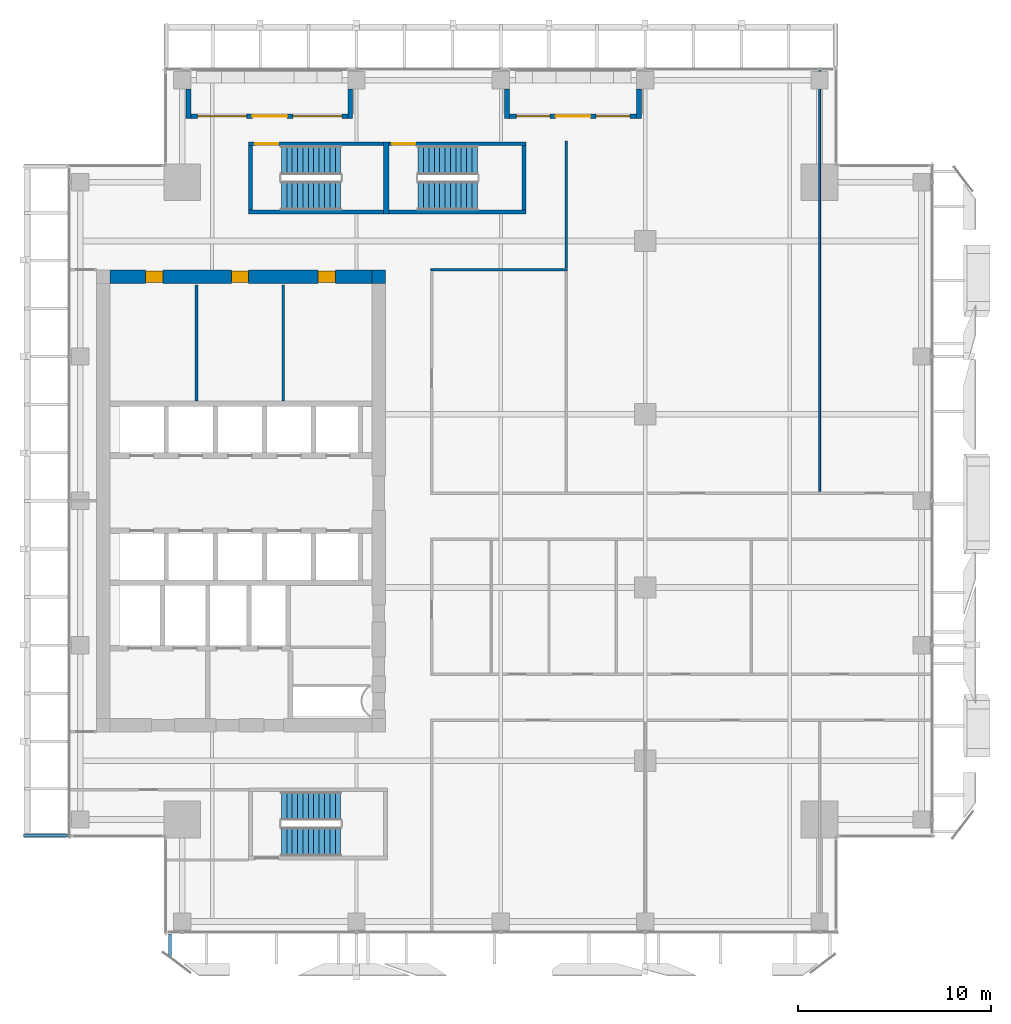
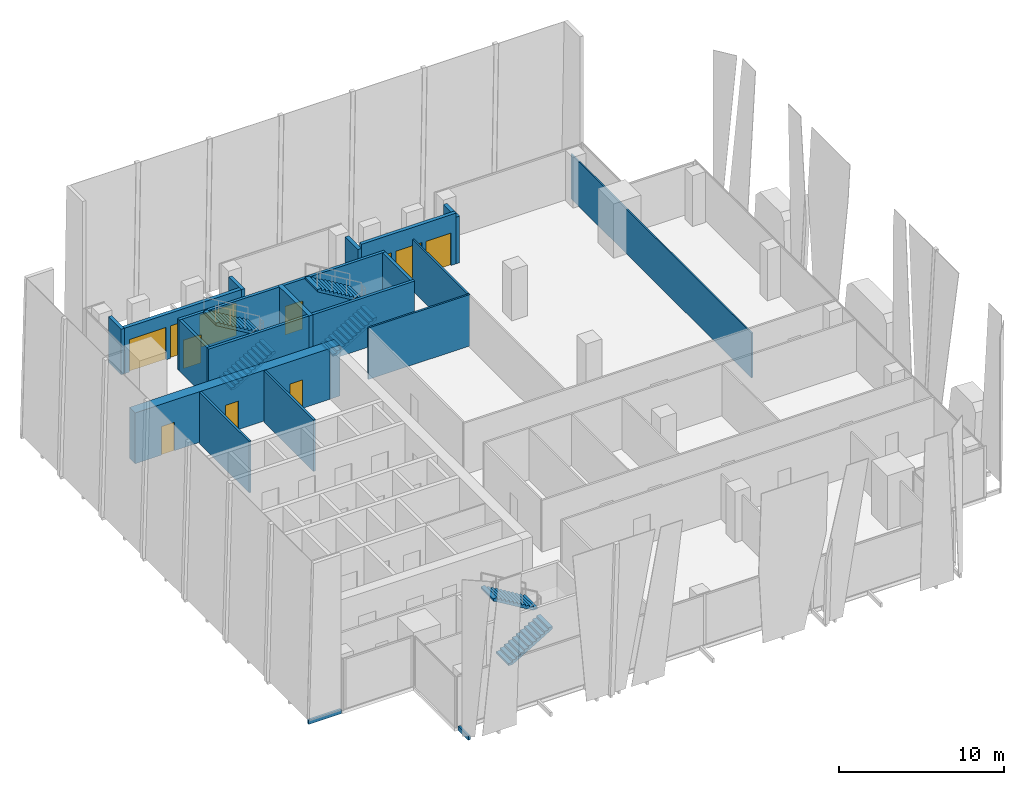
# One storey, part 28 of 33: 20 walls, 7 doors, 6 stair flights, 4 windows, 2 discrete accessories, 11 openings, 3 elements without a shape of their own.
"""IFC4 building model written with IfcOpenShell, lengths in metres."""

from ifc_helpers import new_model, si_unit, direction, frame, frame_2d, origin, origin_2d, place, context, subcontext, project, spatial, polyline, rectangle, outline, extrude, source, transform, mapped, material, layer, layer_set, type_object, element, fill, aggregate, save


model = new_model("IFC4")

# Units and contexts
model_context = context("Model", 3, precision=1e-05, world=origin(), true_north=direction((0.0, 1.0)))
body_context = subcontext(model_context, "Body", "Model", "MODEL_VIEW")
ifc_project = project(units=[si_unit("LENGTHUNIT", "METRE"), si_unit("AREAUNIT", "SQUARE_METRE"), si_unit("VOLUMEUNIT", "CUBIC_METRE"), si_unit("PLANEANGLEUNIT", "RADIAN"), si_unit("MASSUNIT", "GRAM", prefix="KILO")], contexts=[model_context])

# Site, building, storey
site_placement = place(None, origin())
site = spatial("IfcSite", under=ifc_project, at=site_placement, CompositionType="ELEMENT")
building_placement = place(site_placement, origin())
building = spatial("IfcBuilding", under=site, at=building_placement, Name="Khomas Fold Tower", CompositionType="ELEMENT")
storey_placement = place(building_placement, frame((0.0, 0.0, 234.199951171875)))
storey = spatial("IfcBuildingStorey", under=building, at=storey_placement, Name="L52", CompositionType="ELEMENT", Elevation=234.199951171875)

# Wall, opening, door
ifc_material_1 = material(Name="Concrete C50/60", Category="concrete")
ifc_layer_1 = layer(ifc_material_1, 0.199951171875)
ifc_layer_set_1 = layer_set([ifc_layer_1], Name="Concrete C50/60")
wall_type_1 = type_object("IfcWallType", Name="Stair wall 200", PredefinedType="SHEAR", material=ifc_layer_set_1)
shared_shape_1 = source(origin(), body_context, "Body", "SweptSolid", [
    extrude(rectangle(XDim=7.0, YDim=0.199951171875, at=frame_2d((3.5, 0.0))), origin(), (0.0, 0.0, 1.0), 3.75),
])
wall_1_placement = place(storey_placement, frame((13.89990234375, 45.550048828125, 0.0), z_axis=(0.0, 0.0, 1.0), x_axis=(1.0, 0.0, 0.0)))
wall_1 = element("IfcWall", 1, at=wall_1_placement, inside=storey, type_object=wall_type_1, Name="Stair wall SW-ST1-N", PredefinedType="SHEAR", context=body_context, shape_type="MappedRepresentation", body=[
    mapped(shared_shape_1, transform((0.0, 0.0, 0.0))),
])
shared_shape_2 = source(origin(), body_context, "Body", "SweptSolid", [
    extrude(rectangle(XDim=1.199951171875, YDim=2.10009765625, at=frame_2d((0.60009765625, 1.050048828125))), frame((0.0, 0.10986328125, 0.0), z_axis=(0.0, -1.0, 0.0), x_axis=(1.0, 0.0, 0.0)), (0.0, 0.0, 1.0), 0.219970703125),
])
opening_1_placement = place(wall_1_placement, frame((0.35009765625, 0.0, 0.0)))
opening_1 = element("IfcOpeningElement", 2, at=opening_1_placement, cuts=wall_1, Name="Opening SD-ST1", PredefinedType="OPENING", context=body_context, shape_type="MappedRepresentation", body=[
    mapped(shared_shape_2, transform((0.0, 0.0, 0.0))),
])
ifc_material_2 = material(Name="Steel door leaf", Category="steel")
door_type_1 = type_object("IfcDoorType", Name="Stair door 1200x2100 left-hand", OperationType="SINGLE_SWING_LEFT", PredefinedType="DOOR", material=ifc_material_2)
shared_shape_3 = source(origin(), body_context, "Body", "SweptSolid", [
    extrude(rectangle(XDim=1.199951171875, YDim=2.10009765625, at=frame_2d((0.60009765625, 1.050048828125))), frame((0.0, 0.02490234375, 0.0), z_axis=(0.0, -1.0, 0.0), x_axis=(1.0, 0.0, 0.0)), (0.0, 0.0, 1.0), 0.050048828125),
])
door_1_placement = place(opening_1_placement, origin())
door_1 = element("IfcDoor", 3, at=door_1_placement, inside=storey, type_object=door_type_1, Name="Stair door", OperationType="SINGLE_SWING_LEFT", OverallHeight=2.10009765625, OverallWidth=1.199951171875, PredefinedType="DOOR", context=body_context, shape_type="MappedRepresentation", body=[
    mapped(shared_shape_3, transform((0.0, 0.0, 0.0))),
])
fill(opening_1, door_1)

# Wall
wall_2_placement = place(storey_placement, frame((13.89990234375, 42.0, 0.0), z_axis=(0.0, 0.0, 1.0), x_axis=(1.0, 0.0, 0.0)))
element("IfcWall", 4, at=wall_2_placement, inside=storey, type_object=wall_type_1, Name="Stair wall SW-ST1-S", PredefinedType="SHEAR", context=body_context, shape_type="MappedRepresentation", body=[
    mapped(shared_shape_1, transform((0.0, 0.0, 0.0))),
])

# Wall, opening, door
shared_shape_4 = source(origin(), body_context, "Body", "SweptSolid", [
    extrude(rectangle(XDim=7.10009765625, YDim=0.199951171875, at=frame_2d((3.550048828125, 0.0))), origin(), (0.0, 0.0, 1.0), 3.75),
])
wall_3_placement = place(storey_placement, frame((21.199951171875, 45.550048828125, 0.0), z_axis=(0.0, 0.0, 1.0), x_axis=(1.0, 0.0, 0.0)))
wall_3 = element("IfcWall", 5, at=wall_3_placement, inside=storey, type_object=wall_type_1, Name="Stair wall SW-ST3-N", PredefinedType="SHEAR", context=body_context, shape_type="MappedRepresentation", body=[
    mapped(shared_shape_4, transform((0.0, 0.0, 0.0))),
])
opening_2_placement = place(wall_3_placement, frame((0.14990234375, 0.0, 0.0)))
opening_2 = element("IfcOpeningElement", 6, at=opening_2_placement, cuts=wall_3, Name="Opening SD-ST3", PredefinedType="OPENING", context=body_context, shape_type="MappedRepresentation", body=[
    mapped(shared_shape_2, transform((0.0, 0.0, 0.0))),
])
door_2_placement = place(opening_2_placement, origin())
door_2 = element("IfcDoor", 7, at=door_2_placement, inside=storey, type_object=door_type_1, Name="Stair door", OperationType="SINGLE_SWING_LEFT", OverallHeight=2.10009765625, OverallWidth=1.199951171875, PredefinedType="DOOR", context=body_context, shape_type="MappedRepresentation", body=[
    mapped(shared_shape_3, transform((0.0, 0.0, 0.0))),
])
fill(opening_2, door_2)

# Walls
wall_4_placement = place(storey_placement, frame((21.199951171875, 42.0, 0.0), z_axis=(0.0, 0.0, 1.0), x_axis=(1.0, 0.0, 0.0)))
element("IfcWall", 8, at=wall_4_placement, inside=storey, type_object=wall_type_1, Name="Stair wall SW-ST3-S", PredefinedType="SHEAR", context=body_context, shape_type="MappedRepresentation", body=[
    mapped(shared_shape_4, transform((0.0, 0.0, 0.0))),
])
ifc_material_3 = material(Name="Concrete C50/60", Category="concrete")
ifc_layer_2 = layer(ifc_material_3, 0.300048828125)
ifc_layer_set_2 = layer_set([ifc_layer_2], Name="Concrete C50/60")
wall_type_2 = type_object("IfcWallType", Name="Stair wall 300", PredefinedType="SHEAR", material=ifc_layer_set_2)
shared_shape_5 = source(origin(), body_context, "Body", "SweptSolid", [
    extrude(rectangle(XDim=3.75, YDim=0.300048828125, at=frame_2d((1.875, 0.0))), origin(), (0.0, 0.0, 1.0), 3.75),
])
wall_5_placement = place(storey_placement, frame((21.050048828125, 41.89990234375, 0.0), z_axis=(0.0, 0.0, 1.0), x_axis=(0.0, 1.0, 0.0)))
element("IfcWall", 9, at=wall_5_placement, inside=storey, type_object=wall_type_2, Name="Stair wall SW-ST1-E", PredefinedType="SHEAR", context=body_context, shape_type="MappedRepresentation", body=[
    mapped(shared_shape_5, transform((0.0, 0.0, 0.0))),
])
shared_shape_6 = source(origin(), body_context, "Body", "SweptSolid", [
    extrude(rectangle(XDim=3.349853515625, YDim=0.199951171875, at=frame_2d((1.6748046875, 0.0))), origin(), (0.0, 0.0, 1.0), 3.75),
])
for number, where, z_axis, x_axis, name in (
    (10, (14.0, 42.10009765625, 0.0), (0.0, 0.0, 1.0), (0.0, 1.0, 0.0), "Stair wall SW-ST1-W"),
    (11, (28.199951171875, 42.10009765625, 0.0), (0.0, 0.0, 1.0), (0.0, 1.0, 0.0), "Stair wall SW-ST3-E"),
):
    element("IfcWall", number, at=place(storey_placement, frame(where, z_axis=z_axis, x_axis=x_axis)), inside=storey, type_object=wall_type_1, Name=name, PredefinedType="SHEAR", context=body_context, shape_type="MappedRepresentation", body=[
        mapped(shared_shape_6, transform((0.0, 0.0, 0.0))),
    ])

# Wall, openings, doors
ifc_material_4 = material(Name="Concrete C60/75", Category="concrete")
ifc_layer_3 = layer(ifc_material_4, 0.699951171875)
ifc_layer_set_3 = layer_set([ifc_layer_3], Name="Concrete C60/75")
wall_type_3 = type_object("IfcWallType", Name="Core wall 700", PredefinedType="SHEAR", material=ifc_layer_set_3)
shared_shape_7 = source(origin(), body_context, "Body", "SweptSolid", [
    extrude(rectangle(XDim=13.60009765625, YDim=0.699951171875, at=frame_2d((6.800048828125, 0.0))), origin(), (0.0, 0.0, 1.0), 3.75),
])
wall_6_placement = place(storey_placement, frame((6.699951171875, 38.64990234375, 0.0), z_axis=(0.0, 0.0, 1.0), x_axis=(1.0, 0.0, 0.0)))
wall_6 = element("IfcWall", 12, at=wall_6_placement, inside=storey, type_object=wall_type_3, Name="Core wall CW-U-N-L49", PredefinedType="SHEAR", context=body_context, shape_type="MappedRepresentation", body=[
    mapped(shared_shape_7, transform((0.0, 0.0, 0.0))),
])
shared_shape_8 = source(origin(), body_context, "Body", "SweptSolid", [
    extrude(rectangle(XDim=0.89990234375, YDim=2.10009765625, at=frame_2d((0.449951171875, 1.050048828125))), frame((0.0, 0.35986328125, 0.0), z_axis=(0.0, -1.0, 0.0), x_axis=(1.0, 0.0, 0.0)), (0.0, 0.0, 1.0), 0.719970703125),
])
opening_3_placement = place(wall_6_placement, frame((1.85009765625, 0.0, 0.0)))
opening_3 = element("IfcOpeningElement", 13, at=opening_3_placement, cuts=wall_6, Name="Opening 0003", PredefinedType="OPENING", context=body_context, shape_type="MappedRepresentation", body=[
    mapped(shared_shape_8, transform((0.0, 0.0, 0.0))),
])
opening_4_placement = place(wall_6_placement, frame((6.300048828125, 0.0, 0.0)))
opening_4 = element("IfcOpeningElement", 14, at=opening_4_placement, cuts=wall_6, Name="Opening 0003", PredefinedType="OPENING", context=body_context, shape_type="MappedRepresentation", body=[
    mapped(shared_shape_8, transform((0.0, 0.0, 0.0))),
])
opening_5_placement = place(wall_6_placement, frame((10.800048828125, 0.0, 0.0)))
opening_5 = element("IfcOpeningElement", 15, at=opening_5_placement, cuts=wall_6, Name="Opening 0008", PredefinedType="OPENING", context=body_context, shape_type="MappedRepresentation", body=[
    mapped(shared_shape_8, transform((0.0, 0.0, 0.0))),
])
ifc_material_5 = material(Name="Steel door leaf", Category="steel")
door_type_2 = type_object("IfcDoorType", Name="Plant room door 900x2100 right-hand", OperationType="SINGLE_SWING_RIGHT", PredefinedType="DOOR", material=ifc_material_5)
shared_shape_9 = source(origin(), body_context, "Body", "SweptSolid", [
    extrude(rectangle(XDim=0.89990234375, YDim=2.10009765625, at=frame_2d((0.449951171875, 1.050048828125))), frame((0.0, 0.2998046875, 0.0), z_axis=(0.0, -1.0, 0.0), x_axis=(1.0, 0.0, 0.0)), (0.0, 0.0, 1.0), 0.599853515625),
])
door_3_placement = place(opening_3_placement, origin())
door_3 = element("IfcDoor", 16, at=door_3_placement, inside=storey, type_object=door_type_2, Name="Plant room door", OperationType="SINGLE_SWING_RIGHT", OverallHeight=2.10009765625, OverallWidth=0.89990234375, PredefinedType="DOOR", context=body_context, shape_type="MappedRepresentation", body=[
    mapped(shared_shape_9, transform((0.0, 0.0, 0.0))),
])
fill(opening_3, door_3)
door_4_placement = place(opening_4_placement, origin())
door_4 = element("IfcDoor", 17, at=door_4_placement, inside=storey, type_object=door_type_2, Name="Plant room door", OperationType="SINGLE_SWING_RIGHT", OverallHeight=2.10009765625, OverallWidth=0.89990234375, PredefinedType="DOOR", context=body_context, shape_type="MappedRepresentation", body=[
    mapped(shared_shape_9, transform((0.0, 0.0, 0.0))),
])
fill(opening_4, door_4)
ifc_material_6 = material(Name="Timber door leaf", Category="wood")
door_type_3 = type_object("IfcDoorType", Name="Door 900x2100 right-hand", OperationType="SINGLE_SWING_RIGHT", PredefinedType="DOOR", material=ifc_material_6)
door_5_placement = place(opening_5_placement, origin())
door_5 = element("IfcDoor", 18, at=door_5_placement, inside=storey, type_object=door_type_3, Name="Door", OperationType="SINGLE_SWING_RIGHT", OverallHeight=2.10009765625, OverallWidth=0.89990234375, PredefinedType="DOOR", context=body_context, shape_type="MappedRepresentation", body=[
    mapped(shared_shape_9, transform((0.0, 0.0, 0.0))),
])
fill(opening_5, door_5)

# Wall
ifc_material_7 = material(Name="Concrete C60/75", Category="concrete")
ifc_layer_4 = layer(ifc_material_7, 0.699951171875)
ifc_layer_set_4 = layer_set([ifc_layer_4], Name="Concrete C60/75")
wall_type_4 = type_object("IfcWallType", Name="Core corner wall 700", PredefinedType="SHEAR", material=ifc_layer_set_4)
shared_shape_10 = source(origin(), body_context, "Body", "SweptSolid", [
    extrude(rectangle(XDim=0.699951171875, YDim=0.699951171875, at=frame_2d((0.35009765625, 0.0))), origin(), (0.0, 0.0, 1.0), 3.75),
])
wall_7_placement = place(storey_placement, frame((20.300048828125, 38.64990234375, 0.0), z_axis=(0.0, 0.0, 1.0), x_axis=(1.0, 0.0, 0.0)))
element("IfcWall", 19, at=wall_7_placement, inside=storey, type_object=wall_type_4, Name="Core wall CW-U-NE-L49", PredefinedType="SHEAR", context=body_context, shape_type="MappedRepresentation", body=[
    mapped(shared_shape_10, transform((0.0, 0.0, 0.0))),
])

# Wall, openings, door, windows
ifc_material_8 = material(Name="Natural stone", Category="masonry")
ifc_layer_5 = layer(ifc_material_8, 0.0400390625)
ifc_material_9 = material(Name="Mineral wool insulation", Category="insulation")
ifc_layer_6 = layer(ifc_material_9, 0.10009765625)
ifc_material_10 = material(Name="Masonry", Category="masonry")
ifc_layer_7 = layer(ifc_material_10, 0.110107421875)
ifc_layer_set_5 = layer_set([ifc_layer_5, ifc_layer_6, ifc_layer_7], Name="Stone-faced insulated masonry")
wall_type_5 = type_object("IfcWallType", Name="BL-Balcony wall", PredefinedType="SOLIDWALL", material=ifc_layer_set_5)
shared_shape_11 = source(origin(), body_context, "Body", "SweptSolid", [
    extrude(rectangle(XDim=8.150146484375, YDim=0.25, at=frame_2d((4.0751953125, 0.0))), origin(), (0.0, 0.0, 1.0), 3.35009765625),
])
wall_8_placement = place(storey_placement, frame((10.89990234375, 46.97509765625, 0.0), z_axis=(0.0, 0.0, 1.0), x_axis=(1.0, 0.0, 0.0)))
wall_8 = element("IfcWall", 20, at=wall_8_placement, inside=storey, type_object=wall_type_5, Name="Balcony wall BAL-L52-N1", PredefinedType="SOLIDWALL", context=body_context, shape_type="MappedRepresentation", body=[
    mapped(shared_shape_11, transform((0.0, 0.0, 0.0))),
])
shared_shape_12 = source(origin(), body_context, "Body", "SweptSolid", [
    extrude(rectangle(XDim=2.550048828125, YDim=2.39990234375, at=frame_2d((1.27490234375, 1.199951171875))), frame((0.0, 0.135009765625, 0.0), z_axis=(0.0, -1.0, 0.0), x_axis=(1.0, 0.0, 0.0)), (0.0, 0.0, 1.0), 0.27001953125),
])
opening_6_placement = place(wall_8_placement, frame((0.35009765625, 0.0, 0.0)))
opening_6 = element("IfcOpeningElement", 21, at=opening_6_placement, cuts=wall_8, Name="Opening BL-W4", PredefinedType="OPENING", context=body_context, shape_type="MappedRepresentation", body=[
    mapped(shared_shape_12, transform((0.0, 0.0, 0.0))),
])
opening_7_placement = place(wall_8_placement, frame((5.300048828125, 0.0, 0.0)))
opening_7 = element("IfcOpeningElement", 22, at=opening_7_placement, cuts=wall_8, Name="Opening BL-W4", PredefinedType="OPENING", context=body_context, shape_type="MappedRepresentation", body=[
    mapped(shared_shape_12, transform((0.0, 0.0, 0.0))),
])
shared_shape_13 = source(origin(), body_context, "Body", "SweptSolid", [
    extrude(rectangle(XDim=1.800048828125, YDim=2.39990234375, at=frame_2d((0.89990234375, 1.199951171875))), frame((0.0, 0.135009765625, 0.0), z_axis=(0.0, -1.0, 0.0), x_axis=(1.0, 0.0, 0.0)), (0.0, 0.0, 1.0), 0.27001953125),
])
opening_8_placement = place(wall_8_placement, frame((3.199951171875, 0.0, 0.0)))
opening_8 = element("IfcOpeningElement", 23, at=opening_8_placement, cuts=wall_8, Name="Opening BD522", PredefinedType="OPENING", context=body_context, shape_type="MappedRepresentation", body=[
    mapped(shared_shape_13, transform((0.0, 0.0, 0.0))),
])
ifc_material_11 = material(Name="Aluminium framed double glazing", Category="aluminium")
door_type_4 = type_object("IfcDoorType", Name="BL-Glazed balcony door 1800 x 2400", OperationType="DOUBLE_DOOR_DOUBLE_SWING", PredefinedType="DOOR", material=ifc_material_11)
shared_shape_14 = source(origin(), body_context, "Body", "SweptSolid", [
    extrude(rectangle(XDim=1.800048828125, YDim=2.39990234375, at=frame_2d((0.89990234375, 1.199951171875))), frame((0.0, 0.02490234375, 0.0), z_axis=(0.0, -1.0, 0.0), x_axis=(1.0, 0.0, 0.0)), (0.0, 0.0, 1.0), 0.050048828125),
])
door_6_placement = place(opening_8_placement, origin())
door_6 = element("IfcDoor", 24, at=door_6_placement, inside=storey, type_object=door_type_4, Name="Balcony door BD522", OperationType="DOUBLE_DOOR_DOUBLE_SWING", OverallHeight=2.39990234375, OverallWidth=1.800048828125, PredefinedType="DOOR", context=body_context, shape_type="MappedRepresentation", body=[
    mapped(shared_shape_14, transform((0.0, 0.0, 0.0))),
])
fill(opening_8, door_6)
ifc_material_12 = material(Name="Aluminium framed double glazing", Category="aluminium")
window_type_1 = type_object("IfcWindowType", Name="BL-Fixed glazing 2550 x 2400", PartitioningType="SINGLE_PANEL", PredefinedType="WINDOW", material=ifc_material_12)
shared_shape_15 = source(origin(), body_context, "Body", "SweptSolid", [
    extrude(rectangle(XDim=2.550048828125, YDim=2.39990234375, at=frame_2d((1.27490234375, 1.199951171875))), frame((0.0, 0.030029296875, 0.0), z_axis=(0.0, -1.0, 0.0), x_axis=(1.0, 0.0, 0.0)), (0.0, 0.0, 1.0), 0.06005859375),
])
window_1_placement = place(opening_6_placement, origin())
window_1 = element("IfcWindow", 25, at=window_1_placement, inside=storey, type_object=window_type_1, Name="Balcony glazing BAL-L52-N1-1", OverallHeight=2.39990234375, OverallWidth=2.550048828125, PartitioningType="SINGLE_PANEL", PredefinedType="WINDOW", context=body_context, shape_type="MappedRepresentation", body=[
    mapped(shared_shape_15, transform((0.0, 0.0, 0.0))),
])
fill(opening_6, window_1)
window_2_placement = place(opening_7_placement, origin())
window_2 = element("IfcWindow", 26, at=window_2_placement, inside=storey, type_object=window_type_1, Name="Balcony glazing BAL-L52-N1-2", OverallHeight=2.39990234375, OverallWidth=2.550048828125, PartitioningType="SINGLE_PANEL", PredefinedType="WINDOW", context=body_context, shape_type="MappedRepresentation", body=[
    mapped(shared_shape_15, transform((0.0, 0.0, 0.0))),
])
fill(opening_7, window_2)

# Walls
shared_shape_16 = source(origin(), body_context, "Body", "SweptSolid", [
    extrude(rectangle(XDim=1.5498046875, YDim=0.25, at=frame_2d((0.77490234375, 0.0))), origin(), (0.0, 0.0, 1.0), 3.35009765625),
])
for number, where, z_axis, x_axis, name in (
    (27, (10.77490234375, 48.39990234375, 0.0), (0.0, 0.0, 1.0), (0.0, -1.0, 0.0), "Balcony return wall BAL-L52-N1-lo"),
    (28, (19.175048828125, 48.39990234375, 0.0), (0.0, 0.0, 1.0), (0.0, -1.0, 0.0), "Balcony return wall BAL-L52-N1-hi"),
):
    element("IfcWall", number, at=place(storey_placement, frame(where, z_axis=z_axis, x_axis=x_axis)), inside=storey, type_object=wall_type_5, Name=name, PredefinedType="SOLIDWALL", context=body_context, shape_type="MappedRepresentation", body=[
        mapped(shared_shape_16, transform((0.0, 0.0, 0.0))),
    ])

# Wall, openings, door, windows
shared_shape_17 = source(origin(), body_context, "Body", "SweptSolid", [
    extrude(rectangle(XDim=6.60009765625, YDim=0.25, at=frame_2d((3.300048828125, 0.0))), origin(), (0.0, 0.0, 1.0), 3.75),
])
wall_9_placement = place(storey_placement, frame((27.449951171875, 46.97509765625, 0.0), z_axis=(0.0, 0.0, 1.0), x_axis=(1.0, 0.0, 0.0)))
wall_9 = element("IfcWall", 29, at=wall_9_placement, inside=storey, type_object=wall_type_5, Name="Balcony wall BAL-L52-N3", PredefinedType="SOLIDWALL", context=body_context, shape_type="MappedRepresentation", body=[
    mapped(shared_shape_17, transform((0.0, 0.0, 0.0))),
])
shared_shape_18 = source(origin(), body_context, "Body", "SweptSolid", [
    extrude(rectangle(XDim=1.75, YDim=2.39990234375, at=frame_2d((0.875, 1.199951171875))), frame((0.0, 0.135009765625, 0.0), z_axis=(0.0, -1.0, 0.0), x_axis=(1.0, 0.0, 0.0)), (0.0, 0.0, 1.0), 0.27001953125),
])
opening_9_placement = place(wall_9_placement, frame((0.35009765625, 0.0, 0.0)))
opening_9 = element("IfcOpeningElement", 30, at=opening_9_placement, cuts=wall_9, Name="Opening BL-W3", PredefinedType="OPENING", context=body_context, shape_type="MappedRepresentation", body=[
    mapped(shared_shape_18, transform((0.0, 0.0, 0.0))),
])
opening_10_placement = place(wall_9_placement, frame((4.5, 0.0, 0.0)))
opening_10 = element("IfcOpeningElement", 31, at=opening_10_placement, cuts=wall_9, Name="Opening BL-W3", PredefinedType="OPENING", context=body_context, shape_type="MappedRepresentation", body=[
    mapped(shared_shape_18, transform((0.0, 0.0, 0.0))),
])
opening_11_placement = place(wall_9_placement, frame((2.39990234375, 0.0, 0.0)))
opening_11 = element("IfcOpeningElement", 32, at=opening_11_placement, cuts=wall_9, Name="Opening BD521", PredefinedType="OPENING", context=body_context, shape_type="MappedRepresentation", body=[
    mapped(shared_shape_13, transform((0.0, 0.0, 0.0))),
])
door_7_placement = place(opening_11_placement, origin())
door_7 = element("IfcDoor", 33, at=door_7_placement, inside=storey, type_object=door_type_4, Name="Balcony door BD521", OperationType="DOUBLE_DOOR_DOUBLE_SWING", OverallHeight=2.39990234375, OverallWidth=1.800048828125, PredefinedType="DOOR", context=body_context, shape_type="MappedRepresentation", body=[
    mapped(shared_shape_14, transform((0.0, 0.0, 0.0))),
])
fill(opening_11, door_7)
ifc_material_13 = material(Name="Aluminium framed double glazing", Category="aluminium")
window_type_2 = type_object("IfcWindowType", Name="BL-Fixed glazing 1750 x 2400", PartitioningType="SINGLE_PANEL", PredefinedType="WINDOW", material=ifc_material_13)
shared_shape_19 = source(origin(), body_context, "Body", "SweptSolid", [
    extrude(rectangle(XDim=1.75, YDim=2.39990234375, at=frame_2d((0.875, 1.199951171875))), frame((0.0, 0.030029296875, 0.0), z_axis=(0.0, -1.0, 0.0), x_axis=(1.0, 0.0, 0.0)), (0.0, 0.0, 1.0), 0.06005859375),
])
window_3_placement = place(opening_9_placement, origin())
window_3 = element("IfcWindow", 34, at=window_3_placement, inside=storey, type_object=window_type_2, Name="Balcony glazing BAL-L52-N3-1", OverallHeight=2.39990234375, OverallWidth=1.75, PartitioningType="SINGLE_PANEL", PredefinedType="WINDOW", context=body_context, shape_type="MappedRepresentation", body=[
    mapped(shared_shape_19, transform((0.0, 0.0, 0.0))),
])
fill(opening_9, window_3)
window_4_placement = place(opening_10_placement, origin())
window_4 = element("IfcWindow", 35, at=window_4_placement, inside=storey, type_object=window_type_2, Name="Balcony glazing BAL-L52-N3-2", OverallHeight=2.39990234375, OverallWidth=1.75, PartitioningType="SINGLE_PANEL", PredefinedType="WINDOW", context=body_context, shape_type="MappedRepresentation", body=[
    mapped(shared_shape_19, transform((0.0, 0.0, 0.0))),
])
fill(opening_10, window_4)

# Walls
shared_shape_20 = source(origin(), body_context, "Body", "SweptSolid", [
    extrude(rectangle(XDim=1.5498046875, YDim=0.25, at=frame_2d((0.77490234375, 0.0))), origin(), (0.0, 0.0, 1.0), 3.449951171875),
])
for number, where, z_axis, x_axis, name in (
    (36, (27.324951171875, 48.39990234375, 0.0), (0.0, 0.0, 1.0), (0.0, -1.0, 0.0), "Balcony return wall BAL-L52-N3-lo"),
    (37, (34.175048828125, 48.39990234375, 0.0), (0.0, 0.0, 1.0), (0.0, -1.0, 0.0), "Balcony return wall BAL-L52-N3-hi"),
):
    element("IfcWall", number, at=place(storey_placement, frame(where, z_axis=z_axis, x_axis=x_axis)), inside=storey, type_object=wall_type_5, Name=name, PredefinedType="SOLIDWALL", context=body_context, shape_type="MappedRepresentation", body=[
        mapped(shared_shape_20, transform((0.0, 0.0, 0.0))),
    ])
ifc_material_14 = material(Name="Plasterboard fire partition")
ifc_layer_8 = layer(ifc_material_14, 0.14990234375)
ifc_layer_set_6 = layer_set([ifc_layer_8], Name="Plasterboard fire partition")
wall_type_6 = type_object("IfcWallType", Name="Plant room wall PW3 150", PredefinedType="PARTITIONING", material=ifc_layer_set_6)
shared_shape_21 = source(origin(), body_context, "Body", "SweptSolid", [
    extrude(rectangle(XDim=6.0, YDim=0.14990234375, at=frame_2d((3.0, 0.0))), origin(), (0.0, 0.0, 1.0), 3.800048828125),
])
for number, where, z_axis, x_axis, name in (
    (38, (11.199951171875, 32.199951171875, 0.0), (0.0, 0.0, 1.0), (0.0, 1.0, 0.0), "Plant room wall"),
    (39, (15.699951171875, 32.199951171875, 0.0), (0.0, 0.0, 1.0), (0.0, 1.0, 0.0), "Plant room wall"),
):
    element("IfcWall", number, at=place(storey_placement, frame(where, z_axis=z_axis, x_axis=x_axis)), inside=storey, type_object=wall_type_6, Name=name, PredefinedType="PARTITIONING", context=body_context, shape_type="MappedRepresentation", body=[
        mapped(shared_shape_21, transform((0.0, 0.0, 0.0))),
    ])
ifc_material_15 = material(Name="Plasterboard partition")
ifc_layer_9 = layer(ifc_material_15, 0.10009765625)
ifc_layer_set_7 = layer_set([ifc_layer_9], Name="Plasterboard partition")
wall_type_7 = type_object("IfcWallType", Name="Partition PW1 100", PredefinedType="PARTITIONING", material=ifc_layer_set_7)
shared_shape_22 = source(origin(), body_context, "Body", "SweptSolid", [
    extrude(rectangle(XDim=21.85009765625, YDim=0.10009765625, at=frame_2d((10.925048828125, 0.0))), origin(), (0.0, 0.0, 1.0), 3.300048828125),
])
wall_10_placement = place(storey_placement, frame((43.550048828125, 27.5, 0.0), z_axis=(0.0, 0.0, 1.0), x_axis=(0.0, 1.0, 0.0)))
element("IfcWall", 40, at=wall_10_placement, inside=storey, type_object=wall_type_7, Name="Partition", PredefinedType="PARTITIONING", context=body_context, shape_type="MappedRepresentation", body=[
    mapped(shared_shape_22, transform((0.0, 0.0, 0.0))),
])
ifc_material_16 = material(Name="Plasterboard partition")
ifc_layer_10 = layer(ifc_material_16, 0.125)
ifc_layer_set_8 = layer_set([ifc_layer_10], Name="Plasterboard partition")
wall_type_8 = type_object("IfcWallType", Name="Partition PW2 125", PredefinedType="PARTITIONING", material=ifc_layer_set_8)
shared_shape_23 = source(origin(), body_context, "Body", "SweptSolid", [
    extrude(rectangle(XDim=7.099853515625, YDim=0.125, at=frame_2d((3.5498046875, 0.0))), origin(), (0.0, 0.0, 1.0), 3.800048828125),
])
wall_11_placement = place(storey_placement, frame((23.35009765625, 39.0, 0.0), z_axis=(0.0, 0.0, 1.0), x_axis=(1.0, 0.0, 0.0)))
element("IfcWall", 41, at=wall_11_placement, inside=storey, type_object=wall_type_8, Name="Partition", PredefinedType="PARTITIONING", context=body_context, shape_type="MappedRepresentation", body=[
    mapped(shared_shape_23, transform((0.0, 0.0, 0.0))),
])
shared_shape_24 = source(origin(), body_context, "Body", "SweptSolid", [
    extrude(rectangle(XDim=6.599853515625, YDim=0.125, at=frame_2d((3.2998046875, 0.0))), origin(), (0.0, 0.0, 1.0), 3.800048828125),
])
wall_12_placement = place(storey_placement, frame((30.39990234375, 39.10009765625, 0.0), z_axis=(0.0, 0.0, 1.0), x_axis=(0.0, 1.0, 0.0)))
element("IfcWall", 42, at=wall_12_placement, inside=storey, type_object=wall_type_8, Name="Partition", PredefinedType="PARTITIONING", context=body_context, shape_type="MappedRepresentation", body=[
    mapped(shared_shape_24, transform((0.0, 0.0, 0.0))),
])

# Stair, stair flights
ifc_material_17 = material(Name="Concrete C40/50", Category="concrete")
stair_type_1 = type_object("IfcStairType", Name="Stair ST1", PredefinedType="HALF_TURN_STAIR", material=ifc_material_17)
stair_1_placement = place(storey_placement, origin())
stair_1 = element("IfcStair", 43, at=stair_1_placement, inside=storey, type_object=stair_type_1, Name="L52 ST1", PredefinedType="HALF_TURN_STAIR")
ifc_material_18 = material(Name="Concrete C40/50", Category="concrete")
stair_flight_type_1 = type_object("IfcStairFlightType", Name="Stair flight 1500 ST1", PredefinedType="STRAIGHT", material=ifc_material_18)
shared_shape_25 = source(origin(), body_context, "Body", "SweptSolid", [
    extrude(outline(polyline([(0.0, 0.0), (0.0, 0.012939453125), (0.0, 0.025634765625), (0.0, 0.03857421875), (0.0, 0.05126953125), (0.0, 0.064208984375), (0.0, 0.076904296875), (0.0, 0.08984375), (0.0, 0.1025390625), (0.0, 0.115478515625), (0.0, 0.128173828125), (0.0, 0.14111328125), (0.0, 0.15380859375), (0.0, 0.166748046875), (0.280029296875, 0.166748046875), (0.280029296875, 0.333251953125), (0.56005859375, 0.333251953125), (0.56005859375, 0.5), (0.840087890625, 0.5), (0.840087890625, 0.666748046875), (1.1201171875, 0.666748046875), (1.1201171875, 0.833251953125), (1.39990234375, 0.833251953125), (1.39990234375, 1.0), (1.679931640625, 1.0), (1.679931640625, 1.166748046875), (1.9599609375, 1.166748046875), (1.9599609375, 1.333251953125), (2.239990234375, 1.333251953125), (2.239990234375, 1.5), (2.52001953125, 1.5), (2.52001953125, 1.666748046875), (2.800048828125, 1.666748046875), (2.800048828125, 1.833251953125), (3.080078125, 1.833251953125), (3.080078125, 2.0), (3.080078125, 1.973876953125), (3.080078125, 1.947509765625), (3.080078125, 1.92138671875), (3.080078125, 1.89501953125), (3.080078125, 1.868896484375), (3.080078125, 1.842529296875), (3.080078125, 1.81640625), (3.080078125, 1.7900390625), (3.080078125, 1.763916015625), (3.080078125, 1.737548828125), (3.080078125, 1.71142578125), (3.080078125, 1.68505859375), (3.080078125, 1.658935546875), (0.29296875, 0.0), (0.0, 0.0)])), frame((0.0, 0.75, 0.0), z_axis=(0.0, -1.0, 0.0), x_axis=(1.0, 0.0, 0.0)), (0.0, 0.0, 1.0), 1.5),
])
stair_flight_1_placement = place(storey_placement, frame((15.60009765625, 42.85009765625, 0.0), z_axis=(0.0, 0.0, 1.0), x_axis=(1.0, 0.0, 0.0)))
stair_flight_1 = element("IfcStairFlight", 44, at=stair_flight_1_placement, type_object=stair_flight_type_1, Name="ST1 flight 1", NumberOfRisers=12, NumberOfTreads=11, PredefinedType="STRAIGHT", RiserHeight=0.166666667, TreadLength=0.28, context=body_context, shape_type="MappedRepresentation", body=[
    mapped(shared_shape_25, transform((0.0, 0.0, 0.0))),
])
stair_flight_2_placement = place(storey_placement, frame((18.679931640625, 44.699951171875, 2.0), z_axis=(0.0, 0.0, 1.0), x_axis=(-1.0, 0.0, 0.0)))
stair_flight_2 = element("IfcStairFlight", 45, at=stair_flight_2_placement, type_object=stair_flight_type_1, Name="ST1 flight 2", NumberOfRisers=12, NumberOfTreads=11, PredefinedType="STRAIGHT", RiserHeight=0.166666667, TreadLength=0.28, context=body_context, shape_type="MappedRepresentation", body=[
    mapped(shared_shape_25, transform((0.0, 0.0, 0.0))),
])
aggregate(stair_1, [stair_flight_1, stair_flight_2])

ifc_material_19 = material(Name="Concrete C40/50", Category="concrete")
stair_type_2 = type_object("IfcStairType", Name="Stair ST2", PredefinedType="HALF_TURN_STAIR", material=ifc_material_19)
stair_2_placement = place(storey_placement, origin())
stair_2 = element("IfcStair", 46, at=stair_2_placement, inside=storey, type_object=stair_type_2, Name="L52 ST2", PredefinedType="HALF_TURN_STAIR")
ifc_material_20 = material(Name="Concrete C40/50", Category="concrete")
stair_flight_type_2 = type_object("IfcStairFlightType", Name="Stair flight 1500 ST2", PredefinedType="STRAIGHT", material=ifc_material_20)
stair_flight_3_placement = place(storey_placement, frame((15.60009765625, 9.300048828125, 0.0), z_axis=(0.0, 0.0, 1.0), x_axis=(1.0, 0.0, 0.0)))
stair_flight_3 = element("IfcStairFlight", 47, at=stair_flight_3_placement, type_object=stair_flight_type_2, Name="ST2 flight 1", NumberOfRisers=12, NumberOfTreads=11, PredefinedType="STRAIGHT", RiserHeight=0.166666667, TreadLength=0.28, context=body_context, shape_type="MappedRepresentation", body=[
    mapped(shared_shape_25, transform((0.0, 0.0, 0.0))),
])
stair_flight_4_placement = place(storey_placement, frame((18.679931640625, 11.14990234375, 2.0), z_axis=(0.0, 0.0, 1.0), x_axis=(-1.0, 0.0, 0.0)))
stair_flight_4 = element("IfcStairFlight", 48, at=stair_flight_4_placement, type_object=stair_flight_type_2, Name="ST2 flight 2", NumberOfRisers=12, NumberOfTreads=11, PredefinedType="STRAIGHT", RiserHeight=0.166666667, TreadLength=0.28, context=body_context, shape_type="MappedRepresentation", body=[
    mapped(shared_shape_25, transform((0.0, 0.0, 0.0))),
])
aggregate(stair_2, [stair_flight_3, stair_flight_4])

ifc_material_21 = material(Name="Concrete C40/50", Category="concrete")
stair_type_3 = type_object("IfcStairType", Name="Stair ST3", PredefinedType="HALF_TURN_STAIR", material=ifc_material_21)
stair_3_placement = place(storey_placement, origin())
stair_3 = element("IfcStair", 49, at=stair_3_placement, inside=storey, type_object=stair_type_3, Name="L52 ST3", PredefinedType="HALF_TURN_STAIR")
ifc_material_22 = material(Name="Concrete C40/50", Category="concrete")
stair_flight_type_3 = type_object("IfcStairFlightType", Name="Stair flight 1500 ST3", PredefinedType="STRAIGHT", material=ifc_material_22)
stair_flight_5_placement = place(storey_placement, frame((22.699951171875, 42.85009765625, 0.0), z_axis=(0.0, 0.0, 1.0), x_axis=(1.0, 0.0, 0.0)))
stair_flight_5 = element("IfcStairFlight", 50, at=stair_flight_5_placement, type_object=stair_flight_type_3, Name="ST3 flight 1", NumberOfRisers=12, NumberOfTreads=11, PredefinedType="STRAIGHT", RiserHeight=0.166666667, TreadLength=0.28, context=body_context, shape_type="MappedRepresentation", body=[
    mapped(shared_shape_25, transform((0.0, 0.0, 0.0))),
])
stair_flight_6_placement = place(storey_placement, frame((25.780029296875, 44.699951171875, 2.0), z_axis=(0.0, 0.0, 1.0), x_axis=(-1.0, 0.0, 0.0)))
stair_flight_6 = element("IfcStairFlight", 51, at=stair_flight_6_placement, type_object=stair_flight_type_3, Name="ST3 flight 2", NumberOfRisers=12, NumberOfTreads=11, PredefinedType="STRAIGHT", RiserHeight=0.166666667, TreadLength=0.28, context=body_context, shape_type="MappedRepresentation", body=[
    mapped(shared_shape_25, transform((0.0, 0.0, 0.0))),
])
aggregate(stair_3, [stair_flight_5, stair_flight_6])

# Discrete accessories
ifc_material_23 = material(Name="Stainless steel", Category="steel")
discrete_accessory_type = type_object("IfcDiscreteAccessoryType", Name="SK-Stainless steel stone bracket", PredefinedType="BRACKET", material=ifc_material_23)
shared_shape_26 = source(origin(), body_context, "Body", "SweptSolid", [
    extrude(rectangle(XDim=1.22216796875, YDim=0.14990234375, at=origin_2d()), origin(), (0.0, 0.0, 1.0), 0.31005859375),
])
discrete_accessory_1_placement = place(storey_placement, frame((9.817626953125, 3.888916015625, -0.25), z_axis=(0.0, 0.0, 1.0), x_axis=(0.0, -1.0, 0.0)))
element("IfcDiscreteAccessory", 52, at=discrete_accessory_1_placement, inside=storey, type_object=discrete_accessory_type, Name="Stone bracket L52 SG098-2-1", PredefinedType="BRACKET", context=body_context, shape_type="MappedRepresentation", body=[
    mapped(shared_shape_26, transform((0.0, 0.0, 0.0))),
])
shared_shape_27 = source(origin(), body_context, "Body", "SweptSolid", [
    extrude(rectangle(XDim=2.289306640625, YDim=0.14990234375, at=origin_2d()), origin(), (0.0, 0.0, 1.0), 0.31005859375),
])
discrete_accessory_2_placement = place(storey_placement, frame((3.355224609375, 9.625, -0.25), z_axis=(0.0, 0.0, 1.0), x_axis=(-1.0, 0.0, 0.0)))
element("IfcDiscreteAccessory", 53, at=discrete_accessory_2_placement, inside=storey, type_object=discrete_accessory_type, Name="Stone bracket L52 PLWR1", PredefinedType="BRACKET", context=body_context, shape_type="MappedRepresentation", body=[
    mapped(shared_shape_27, transform((0.0, 0.0, 0.0))),
])

save(model, "model.ifc")
